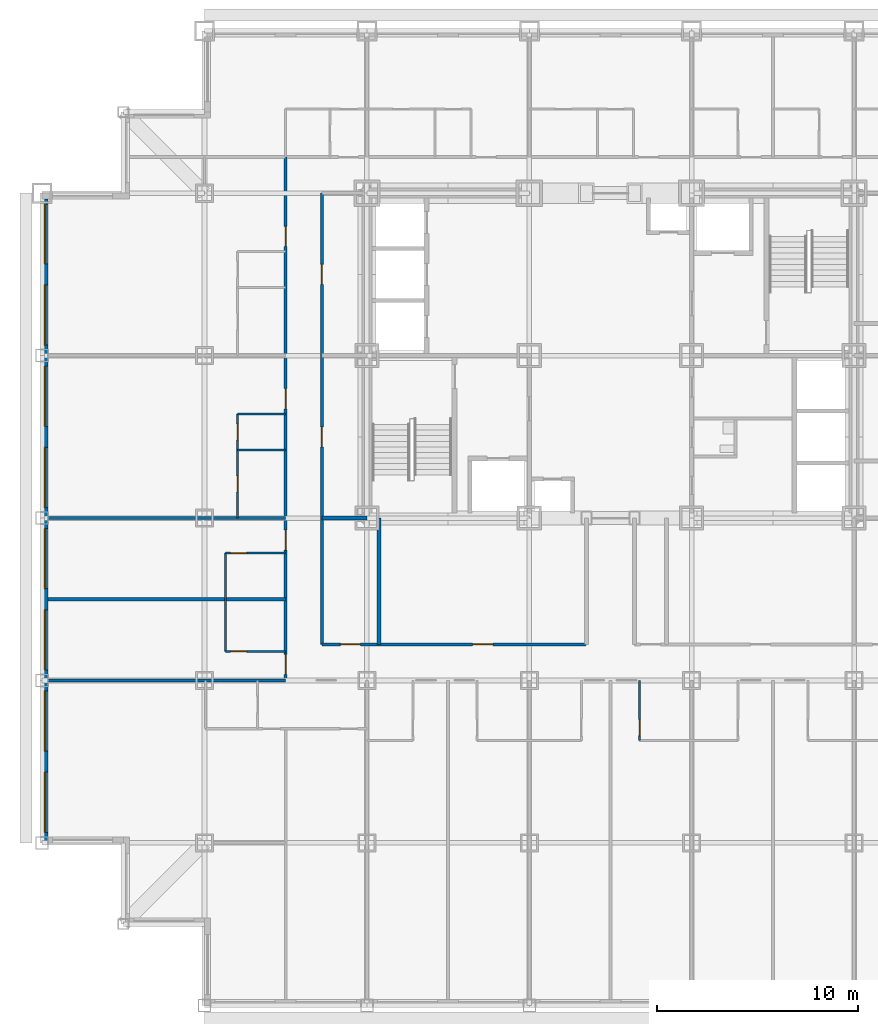
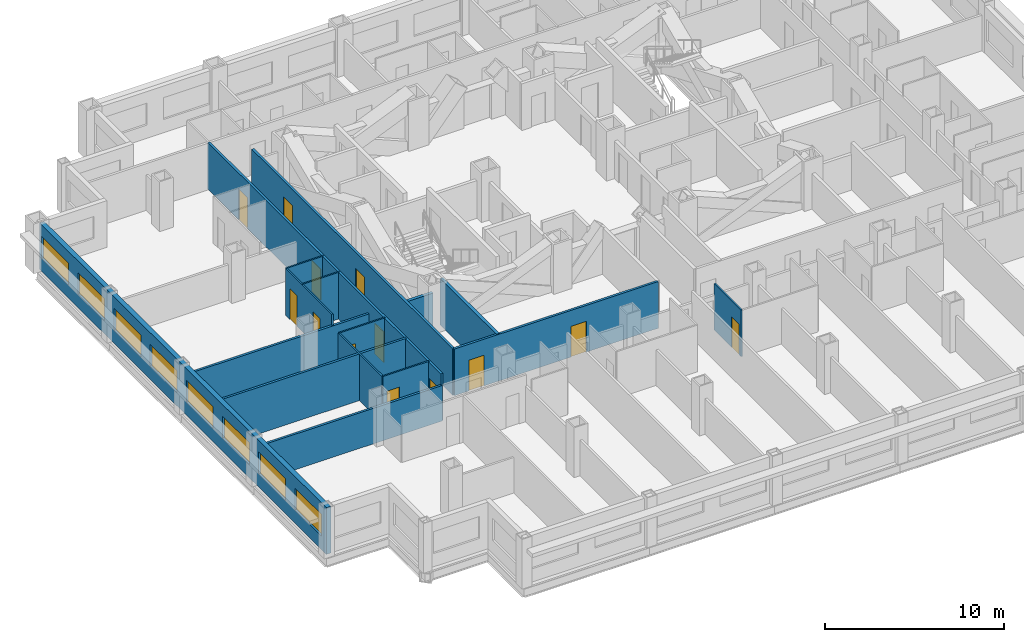
# One storey, part 4 of 12: 16 walls, 13 doors, 8 windows, 21 openings.
"""IFC4 building model written with IfcOpenShell, lengths in metres."""

from ifc_helpers import new_model, si_unit, direction, frame, frame_2d, origin, place, context, subcontext, project, spatial, rectangle, extrude, material, layer, layer_set, type_object, element, fill, save


model = new_model("IFC4")

# Units and contexts
model_context = context("Model", 3, precision=1e-05, world=origin(), true_north=direction((0.0, 1.0)))
body_context = subcontext(model_context, "Body", "Model", "MODEL_VIEW")
ifc_project = project(units=[si_unit("LENGTHUNIT", "METRE"), si_unit("AREAUNIT", "SQUARE_METRE"), si_unit("VOLUMEUNIT", "CUBIC_METRE"), si_unit("PLANEANGLEUNIT", "RADIAN"), si_unit("MASSUNIT", "GRAM", prefix="KILO")], contexts=[model_context])

# Site, building, storey
site_placement = place(None, origin())
site = spatial("IfcSite", under=ifc_project, at=site_placement, CompositionType="ELEMENT")
building_placement = place(site_placement, origin())
building = spatial("IfcBuilding", under=site, at=building_placement, Name="Kopane Lantern Tower", CompositionType="ELEMENT")
storey_placement = place(building_placement, frame((0.0, 0.0, 77.199951171875)))
storey = spatial("IfcBuildingStorey", under=building, at=storey_placement, Name="L19", CompositionType="ELEMENT", Elevation=77.199951171875)

# Wall, opening, door
ifc_material_1 = material(Name="Moisture-resistant board on steel studs", Category="steel")
ifc_layer_1 = layer(ifc_material_1, 0.10009765625)
ifc_layer_set_1 = layer_set([ifc_layer_1], Name="BATHROOM WALL 100")
wall_type_1 = type_object("IfcWallType", Name="BATHROOM WALL 100", PredefinedType="PARTITIONING", material=ifc_layer_set_1)
wall_1_placement = place(storey_placement, frame((29.800048828125, 16.199951171875, 0.0), z_axis=(0.0, 0.0, 1.0), x_axis=(0.0, -1.0, 0.0)))
wall_1 = element("IfcWall", 1, at=wall_1_placement, inside=storey, type_object=wall_type_1, Name="Bathroom Wall 100 L19", PredefinedType="PARTITIONING", context=body_context, shape_type="SweptSolid", body=[
    extrude(rectangle(XDim=3.0, YDim=0.10009765625, at=frame_2d((1.5, 0.0))), origin(), (0.0, 0.0, 1.0), 3.18994140625),
])
opening_1_placement = place(wall_1_placement, frame((1.949951171875, 0.0, 0.0)))
opening_1 = element("IfcOpeningElement", 2, at=opening_1_placement, cuts=wall_1, Name="Opening L19-019", PredefinedType="OPENING", context=body_context, shape_type="SweptSolid", body=[
    extrude(rectangle(XDim=0.800048828125, YDim=2.10009765625, at=frame_2d((0.39990234375, 1.050048828125))), frame((0.0, 0.06005859375, 0.0), z_axis=(0.0, -1.0, 0.0), x_axis=(1.0, 0.0, 0.0)), (0.0, 0.0, 1.0), 0.1201171875),
])
ifc_material_2 = material(Name="Timber door set", Category="wood")
door_type_1 = type_object("IfcDoorType", Name="DOOR D2 800x2100", OperationType="SINGLE_SWING_LEFT", PredefinedType="DOOR", material=ifc_material_2)
door_1_placement = place(opening_1_placement, origin())
door_1 = element("IfcDoor", 3, at=door_1_placement, inside=storey, type_object=door_type_1, Name="Door L19-019", OperationType="SINGLE_SWING_RIGHT", OverallHeight=2.10009765625, OverallWidth=0.800048828125, PredefinedType="DOOR", context=body_context, shape_type="SweptSolid", body=[
    extrude(rectangle(XDim=0.800048828125, YDim=2.10009765625, at=frame_2d((0.39990234375, 1.050048828125))), frame((0.0, 0.02490234375, 0.0), z_axis=(0.0, -1.0, 0.0), x_axis=(1.0, 0.0, 0.0)), (0.0, 0.0, 1.0), 0.050048828125),
])
fill(opening_1, door_1)

# Wall
wall_2_placement = place(storey_placement, frame((9.14990234375, 17.64990234375, 0.0), z_axis=(0.0, 0.0, 1.0), x_axis=(0.0, 1.0, 0.0)))
element("IfcWall", 4, at=wall_2_placement, inside=storey, type_object=wall_type_1, Name="Bathroom Wall 100 L19", PredefinedType="PARTITIONING", context=body_context, shape_type="SweptSolid", body=[
    extrude(rectangle(XDim=4.900146484375, YDim=0.10009765625, at=frame_2d((2.4501953125, 0.0))), origin(), (0.0, 0.0, 1.0), 3.18994140625),
])

# Wall, opening, door
wall_3_placement = place(storey_placement, frame((12.14990234375, 17.64990234375, 0.0), z_axis=(0.0, 0.0, 1.0), x_axis=(-1.0, 0.0, 0.0)))
wall_3 = element("IfcWall", 5, at=wall_3_placement, inside=storey, type_object=wall_type_1, Name="Bathroom Wall 100 L19", PredefinedType="PARTITIONING", context=body_context, shape_type="SweptSolid", body=[
    extrude(rectangle(XDim=3.0, YDim=0.10009765625, at=frame_2d((1.5, 0.0))), origin(), (0.0, 0.0, 1.0), 3.18994140625),
])
opening_2_placement = place(wall_3_placement, frame((1.949951171875, 0.0, 0.0)))
opening_2 = element("IfcOpeningElement", 6, at=opening_2_placement, cuts=wall_3, Name="Opening L19-039", PredefinedType="OPENING", context=body_context, shape_type="SweptSolid", body=[
    extrude(rectangle(XDim=0.800048828125, YDim=2.10009765625, at=frame_2d((0.39990234375, 1.050048828125))), frame((0.0, 0.06005859375, 0.0), z_axis=(0.0, -1.0, 0.0), x_axis=(1.0, 0.0, 0.0)), (0.0, 0.0, 1.0), 0.1201171875),
])
door_2_placement = place(opening_2_placement, origin())
door_2 = element("IfcDoor", 7, at=door_2_placement, inside=storey, type_object=door_type_1, Name="Door L19-039", OperationType="SINGLE_SWING_LEFT", OverallHeight=2.10009765625, OverallWidth=0.800048828125, PredefinedType="DOOR", context=body_context, shape_type="SweptSolid", body=[
    extrude(rectangle(XDim=0.800048828125, YDim=2.10009765625, at=frame_2d((0.39990234375, 1.050048828125))), frame((0.0, 0.02490234375, 0.0), z_axis=(0.0, -1.0, 0.0), x_axis=(1.0, 0.0, 0.0)), (0.0, 0.0, 1.0), 0.050048828125),
])
fill(opening_2, door_2)

wall_4_placement = place(storey_placement, frame((12.14990234375, 22.550048828125, 0.0), z_axis=(0.0, 0.0, 1.0), x_axis=(-1.0, 0.0, 0.0)))
wall_4 = element("IfcWall", 8, at=wall_4_placement, inside=storey, type_object=wall_type_1, Name="Bathroom Wall 100 L19", PredefinedType="PARTITIONING", context=body_context, shape_type="SweptSolid", body=[
    extrude(rectangle(XDim=3.0, YDim=0.10009765625, at=frame_2d((1.5, 0.0))), origin(), (0.0, 0.0, 1.0), 3.18994140625),
])
opening_3_placement = place(wall_4_placement, frame((1.949951171875, 0.0, 0.0)))
opening_3 = element("IfcOpeningElement", 9, at=opening_3_placement, cuts=wall_4, Name="Opening L19-041", PredefinedType="OPENING", context=body_context, shape_type="SweptSolid", body=[
    extrude(rectangle(XDim=0.800048828125, YDim=2.10009765625, at=frame_2d((0.39990234375, 1.050048828125))), frame((0.0, 0.06005859375, 0.0), z_axis=(0.0, -1.0, 0.0), x_axis=(1.0, 0.0, 0.0)), (0.0, 0.0, 1.0), 0.1201171875),
])
door_3_placement = place(opening_3_placement, origin())
door_3 = element("IfcDoor", 10, at=door_3_placement, inside=storey, type_object=door_type_1, Name="Door L19-041", OperationType="SINGLE_SWING_RIGHT", OverallHeight=2.10009765625, OverallWidth=0.800048828125, PredefinedType="DOOR", context=body_context, shape_type="SweptSolid", body=[
    extrude(rectangle(XDim=0.800048828125, YDim=2.10009765625, at=frame_2d((0.39990234375, 1.050048828125))), frame((0.0, 0.02490234375, 0.0), z_axis=(0.0, -1.0, 0.0), x_axis=(1.0, 0.0, 0.0)), (0.0, 0.0, 1.0), 0.050048828125),
])
fill(opening_3, door_3)

# Wall, openings, doors
wall_5_placement = place(storey_placement, frame((9.75, 24.300048828125, 0.0), z_axis=(0.0, 0.0, 1.0), x_axis=(0.0, 1.0, 0.0)))
wall_5 = element("IfcWall", 11, at=wall_5_placement, inside=storey, type_object=wall_type_1, Name="Bathroom Wall 100 L19", PredefinedType="PARTITIONING", context=body_context, shape_type="SweptSolid", body=[
    extrude(rectangle(XDim=5.199951171875, YDim=0.10009765625, at=frame_2d((2.60009765625, 0.0))), origin(), (0.0, 0.0, 1.0), 3.18994140625),
])
opening_4_placement = place(wall_5_placement, frame((1.300048828125, 0.0, 0.0)))
opening_4 = element("IfcOpeningElement", 12, at=opening_4_placement, cuts=wall_5, Name="Opening L19-043", PredefinedType="OPENING", context=body_context, shape_type="SweptSolid", body=[
    extrude(rectangle(XDim=0.800048828125, YDim=2.10009765625, at=frame_2d((0.39990234375, 1.050048828125))), frame((0.0, 0.06005859375, 0.0), z_axis=(0.0, -1.0, 0.0), x_axis=(1.0, 0.0, 0.0)), (0.0, 0.0, 1.0), 0.1201171875),
])
opening_5_placement = place(wall_5_placement, frame((3.89990234375, 0.0, 0.0)))
opening_5 = element("IfcOpeningElement", 13, at=opening_5_placement, cuts=wall_5, Name="Opening L19-044", PredefinedType="OPENING", context=body_context, shape_type="SweptSolid", body=[
    extrude(rectangle(XDim=0.800048828125, YDim=2.10009765625, at=frame_2d((0.39990234375, 1.050048828125))), frame((0.0, 0.06005859375, 0.0), z_axis=(0.0, -1.0, 0.0), x_axis=(1.0, 0.0, 0.0)), (0.0, 0.0, 1.0), 0.1201171875),
])
door_4_placement = place(opening_4_placement, origin())
door_4 = element("IfcDoor", 14, at=door_4_placement, inside=storey, type_object=door_type_1, Name="Door L19-043", OperationType="SINGLE_SWING_LEFT", OverallHeight=2.10009765625, OverallWidth=0.800048828125, PredefinedType="DOOR", context=body_context, shape_type="SweptSolid", body=[
    extrude(rectangle(XDim=0.800048828125, YDim=2.10009765625, at=frame_2d((0.39990234375, 1.050048828125))), frame((0.0, 0.02490234375, 0.0), z_axis=(0.0, -1.0, 0.0), x_axis=(1.0, 0.0, 0.0)), (0.0, 0.0, 1.0), 0.050048828125),
])
fill(opening_4, door_4)
door_5_placement = place(opening_5_placement, origin())
door_5 = element("IfcDoor", 15, at=door_5_placement, inside=storey, type_object=door_type_1, Name="Door L19-044", OperationType="SINGLE_SWING_LEFT", OverallHeight=2.10009765625, OverallWidth=0.800048828125, PredefinedType="DOOR", context=body_context, shape_type="SweptSolid", body=[
    extrude(rectangle(XDim=0.800048828125, YDim=2.10009765625, at=frame_2d((0.39990234375, 1.050048828125))), frame((0.0, 0.02490234375, 0.0), z_axis=(0.0, -1.0, 0.0), x_axis=(1.0, 0.0, 0.0)), (0.0, 0.0, 1.0), 0.050048828125),
])
fill(opening_5, door_5)

# Walls
for number, where, z_axis, x_axis, name in (
    (16, (12.14990234375, 27.699951171875, 0.0), (0.0, 0.0, 1.0), (-1.0, 0.0, 0.0), "Bathroom Wall 100 L19"),
    (17, (12.14990234375, 29.5, 0.0), (0.0, 0.0, 1.0), (-1.0, 0.0, 0.0), "Bathroom Wall 100 L19"),
):
    element("IfcWall", number, at=place(storey_placement, frame(where, z_axis=z_axis, x_axis=x_axis)), inside=storey, type_object=wall_type_1, Name=name, PredefinedType="PARTITIONING", context=body_context, shape_type="SweptSolid", body=[
        extrude(rectangle(XDim=2.39990234375, YDim=0.10009765625, at=frame_2d((1.199951171875, 0.0))), origin(), (0.0, 0.0, 1.0), 3.18994140625),
    ])

# Wall, openings, doors
ifc_material_3 = material(Name="Gypsum board on steel studs", Category="steel")
ifc_layer_2 = layer(ifc_material_3, 0.14990234375)
ifc_layer_set_2 = layer_set([ifc_layer_2], Name="CORRIDOR WALL 150 EI 60")
wall_type_2 = type_object("IfcWallType", Name="CORRIDOR WALL 150 EI 60", PredefinedType="PARTITIONING", material=ifc_layer_set_2)
wall_6_placement = place(storey_placement, frame((12.14990234375, 16.199951171875, 0.0), z_axis=(0.0, 0.0, 1.0), x_axis=(0.0, 1.0, 0.0)))
wall_6 = element("IfcWall", 18, at=wall_6_placement, inside=storey, type_object=wall_type_2, Name="Corridor Wall 150 Ei 60 L19", PredefinedType="PARTITIONING", context=body_context, shape_type="SweptSolid", body=[
    extrude(rectangle(XDim=26.10009765625, YDim=0.14990234375, at=frame_2d((13.050048828125, 0.0))), origin(), (0.0, 0.0, 1.0), 3.18994140625),
])
opening_6_placement = place(wall_6_placement, frame((0.300048828125, 0.0, 0.0)))
opening_6 = element("IfcOpeningElement", 19, at=opening_6_placement, cuts=wall_6, Name="Opening L19-040", PredefinedType="OPENING", context=body_context, shape_type="SweptSolid", body=[
    extrude(rectangle(XDim=1.0, YDim=2.10009765625, at=frame_2d((0.5, 1.050048828125))), frame((0.0, 0.0849609375, 0.0), z_axis=(0.0, -1.0, 0.0), x_axis=(1.0, 0.0, 0.0)), (0.0, 0.0, 1.0), 0.169921875),
])
opening_7_placement = place(wall_6_placement, frame((6.5, 0.0, 0.0)))
opening_7 = element("IfcOpeningElement", 20, at=opening_7_placement, cuts=wall_6, Name="Opening L19-042", PredefinedType="OPENING", context=body_context, shape_type="SweptSolid", body=[
    extrude(rectangle(XDim=1.0, YDim=2.10009765625, at=frame_2d((0.5, 1.050048828125))), frame((0.0, 0.0849609375, 0.0), z_axis=(0.0, -1.0, 0.0), x_axis=(1.0, 0.0, 0.0)), (0.0, 0.0, 1.0), 0.169921875),
])
opening_8_placement = place(wall_6_placement, frame((13.550048828125, 0.0, 0.0)))
opening_8 = element("IfcOpeningElement", 21, at=opening_8_placement, cuts=wall_6, Name="Opening L19-045", PredefinedType="OPENING", context=body_context, shape_type="SweptSolid", body=[
    extrude(rectangle(XDim=1.0, YDim=2.10009765625, at=frame_2d((0.5, 1.050048828125))), frame((0.0, 0.0849609375, 0.0), z_axis=(0.0, -1.0, 0.0), x_axis=(1.0, 0.0, 0.0)), (0.0, 0.0, 1.0), 0.169921875),
])
opening_9_placement = place(wall_6_placement, frame((21.64990234375, 0.0, 0.0)))
opening_9 = element("IfcOpeningElement", 22, at=opening_9_placement, cuts=wall_6, Name="Opening L19-048", PredefinedType="OPENING", context=body_context, shape_type="SweptSolid", body=[
    extrude(rectangle(XDim=1.0, YDim=2.10009765625, at=frame_2d((0.5, 1.050048828125))), frame((0.0, 0.0849609375, 0.0), z_axis=(0.0, -1.0, 0.0), x_axis=(1.0, 0.0, 0.0)), (0.0, 0.0, 1.0), 0.169921875),
])
ifc_material_4 = material(Name="Steel door set", Category="steel")
door_type_2 = type_object("IfcDoorType", Name="DOOR D1 1000x2100 FD30S", OperationType="SINGLE_SWING_LEFT", PredefinedType="DOOR", material=ifc_material_4)
door_6_placement = place(opening_6_placement, origin())
door_6 = element("IfcDoor", 23, at=door_6_placement, inside=storey, type_object=door_type_2, Name="Door L19-040", OperationType="SINGLE_SWING_RIGHT", OverallHeight=2.10009765625, OverallWidth=1.0, PredefinedType="DOOR", context=body_context, shape_type="SweptSolid", body=[
    extrude(rectangle(XDim=1.0, YDim=2.10009765625, at=frame_2d((0.5, 1.050048828125))), frame((0.0, 0.02490234375, 0.0), z_axis=(0.0, -1.0, 0.0), x_axis=(1.0, 0.0, 0.0)), (0.0, 0.0, 1.0), 0.050048828125),
])
fill(opening_6, door_6)
door_7_placement = place(opening_7_placement, origin())
door_7 = element("IfcDoor", 24, at=door_7_placement, inside=storey, type_object=door_type_2, Name="Door L19-042", OperationType="SINGLE_SWING_LEFT", OverallHeight=2.10009765625, OverallWidth=1.0, PredefinedType="DOOR", context=body_context, shape_type="SweptSolid", body=[
    extrude(rectangle(XDim=1.0, YDim=2.10009765625, at=frame_2d((0.5, 1.050048828125))), frame((0.0, 0.02490234375, 0.0), z_axis=(0.0, -1.0, 0.0), x_axis=(1.0, 0.0, 0.0)), (0.0, 0.0, 1.0), 0.050048828125),
])
fill(opening_7, door_7)
door_8_placement = place(opening_8_placement, origin())
door_8 = element("IfcDoor", 25, at=door_8_placement, inside=storey, type_object=door_type_2, Name="Door L19-045", OperationType="SINGLE_SWING_LEFT", OverallHeight=2.10009765625, OverallWidth=1.0, PredefinedType="DOOR", context=body_context, shape_type="SweptSolid", body=[
    extrude(rectangle(XDim=1.0, YDim=2.10009765625, at=frame_2d((0.5, 1.050048828125))), frame((0.0, 0.02490234375, 0.0), z_axis=(0.0, -1.0, 0.0), x_axis=(1.0, 0.0, 0.0)), (0.0, 0.0, 1.0), 0.050048828125),
])
fill(opening_8, door_8)
door_9_placement = place(opening_9_placement, origin())
door_9 = element("IfcDoor", 26, at=door_9_placement, inside=storey, type_object=door_type_2, Name="Door L19-048", OperationType="SINGLE_SWING_LEFT", OverallHeight=2.10009765625, OverallWidth=1.0, PredefinedType="DOOR", context=body_context, shape_type="SweptSolid", body=[
    extrude(rectangle(XDim=1.0, YDim=2.10009765625, at=frame_2d((0.5, 1.050048828125))), frame((0.0, 0.02490234375, 0.0), z_axis=(0.0, -1.0, 0.0), x_axis=(1.0, 0.0, 0.0)), (0.0, 0.0, 1.0), 0.050048828125),
])
fill(opening_9, door_9)

wall_7_placement = place(storey_placement, frame((13.949951171875, 40.5, 0.0), z_axis=(0.0, 0.0, 1.0), x_axis=(0.0, -1.0, 0.0)))
wall_7 = element("IfcWall", 27, at=wall_7_placement, inside=storey, type_object=wall_type_2, Name="Corridor Wall 150 Ei 60 L19", PredefinedType="PARTITIONING", context=body_context, shape_type="SweptSolid", body=[
    extrude(rectangle(XDim=22.5, YDim=0.14990234375, at=frame_2d((11.25, 0.0))), origin(), (0.0, 0.0, 1.0), 3.18994140625),
])
opening_10_placement = place(wall_7_placement, frame((11.64990234375, 0.0, 0.0)))
opening_10 = element("IfcOpeningElement", 28, at=opening_10_placement, cuts=wall_7, Name="Opening L19-001", PredefinedType="OPENING", context=body_context, shape_type="SweptSolid", body=[
    extrude(rectangle(XDim=1.0, YDim=2.10009765625, at=frame_2d((0.5, 1.050048828125))), frame((0.0, 0.0849609375, 0.0), z_axis=(0.0, -1.0, 0.0), x_axis=(1.0, 0.0, 0.0)), (0.0, 0.0, 1.0), 0.169921875),
])
opening_11_placement = place(wall_7_placement, frame((3.550048828125, 0.0, 0.0)))
opening_11 = element("IfcOpeningElement", 29, at=opening_11_placement, cuts=wall_7, Name="Opening L19-002", PredefinedType="OPENING", context=body_context, shape_type="SweptSolid", body=[
    extrude(rectangle(XDim=1.0, YDim=2.10009765625, at=frame_2d((0.5, 1.050048828125))), frame((0.0, 0.0849609375, 0.0), z_axis=(0.0, -1.0, 0.0), x_axis=(1.0, 0.0, 0.0)), (0.0, 0.0, 1.0), 0.169921875),
])
ifc_material_5 = material(Name="Steel door set", Category="steel")
door_type_3 = type_object("IfcDoorType", Name="DOOR D5 1000x2100 FD60", OperationType="SINGLE_SWING_LEFT", PredefinedType="DOOR", material=ifc_material_5)
door_10_placement = place(opening_10_placement, origin())
door_10 = element("IfcDoor", 30, at=door_10_placement, inside=storey, type_object=door_type_3, Name="Door L19-001", OperationType="SINGLE_SWING_RIGHT", OverallHeight=2.10009765625, OverallWidth=1.0, PredefinedType="DOOR", context=body_context, shape_type="SweptSolid", body=[
    extrude(rectangle(XDim=1.0, YDim=2.10009765625, at=frame_2d((0.5, 1.050048828125))), frame((0.0, 0.02490234375, 0.0), z_axis=(0.0, -1.0, 0.0), x_axis=(1.0, 0.0, 0.0)), (0.0, 0.0, 1.0), 0.050048828125),
])
fill(opening_10, door_10)
door_11_placement = place(opening_11_placement, origin())
door_11 = element("IfcDoor", 31, at=door_11_placement, inside=storey, type_object=door_type_3, Name="Door L19-002", OperationType="SINGLE_SWING_LEFT", OverallHeight=2.10009765625, OverallWidth=1.0, PredefinedType="DOOR", context=body_context, shape_type="SweptSolid", body=[
    extrude(rectangle(XDim=1.0, YDim=2.10009765625, at=frame_2d((0.5, 1.050048828125))), frame((0.0, 0.02490234375, 0.0), z_axis=(0.0, -1.0, 0.0), x_axis=(1.0, 0.0, 0.0)), (0.0, 0.0, 1.0), 0.050048828125),
])
fill(opening_11, door_11)

wall_8_placement = place(storey_placement, frame((13.949951171875, 18.0, 0.0), z_axis=(0.0, 0.0, 1.0), x_axis=(1.0, 0.0, 0.0)))
wall_8 = element("IfcWall", 32, at=wall_8_placement, inside=storey, type_object=wall_type_2, Name="Corridor Wall 150 Ei 60 L19", PredefinedType="PARTITIONING", context=body_context, shape_type="SweptSolid", body=[
    extrude(rectangle(XDim=13.18994140625, YDim=0.14990234375, at=frame_2d((6.594970703125, 0.0))), origin(), (0.0, 0.0, 1.0), 3.18994140625),
])
opening_12_placement = place(wall_8_placement, frame((0.9287109375, 0.0, 0.0)))
opening_12 = element("IfcOpeningElement", 33, at=opening_12_placement, cuts=wall_8, Name="Opening L19-007", PredefinedType="OPENING", context=body_context, shape_type="SweptSolid", body=[
    extrude(rectangle(XDim=1.0, YDim=2.10009765625, at=frame_2d((0.5, 1.050048828125))), frame((0.0, 0.0849609375, 0.0), z_axis=(0.0, -1.0, 0.0), x_axis=(1.0, 0.0, 0.0)), (0.0, 0.0, 1.0), 0.169921875),
])
opening_13_placement = place(wall_8_placement, frame((7.528564453125, 0.0, 0.0)))
opening_13 = element("IfcOpeningElement", 34, at=opening_13_placement, cuts=wall_8, Name="Opening L19-008", PredefinedType="OPENING", context=body_context, shape_type="SweptSolid", body=[
    extrude(rectangle(XDim=1.0, YDim=2.10009765625, at=frame_2d((0.5, 1.050048828125))), frame((0.0, 0.0849609375, 0.0), z_axis=(0.0, -1.0, 0.0), x_axis=(1.0, 0.0, 0.0)), (0.0, 0.0, 1.0), 0.169921875),
])
door_12_placement = place(opening_12_placement, origin())
door_12 = element("IfcDoor", 35, at=door_12_placement, inside=storey, type_object=door_type_3, Name="Door L19-007", OperationType="SINGLE_SWING_LEFT", OverallHeight=2.10009765625, OverallWidth=1.0, PredefinedType="DOOR", context=body_context, shape_type="SweptSolid", body=[
    extrude(rectangle(XDim=1.0, YDim=2.10009765625, at=frame_2d((0.5, 1.050048828125))), frame((0.0, 0.02490234375, 0.0), z_axis=(0.0, -1.0, 0.0), x_axis=(1.0, 0.0, 0.0)), (0.0, 0.0, 1.0), 0.050048828125),
])
fill(opening_12, door_12)
door_13_placement = place(opening_13_placement, origin())
door_13 = element("IfcDoor", 36, at=door_13_placement, inside=storey, type_object=door_type_3, Name="Door L19-008", OperationType="SINGLE_SWING_RIGHT", OverallHeight=2.10009765625, OverallWidth=1.0, PredefinedType="DOOR", context=body_context, shape_type="SweptSolid", body=[
    extrude(rectangle(XDim=1.0, YDim=2.10009765625, at=frame_2d((0.5, 1.050048828125))), frame((0.0, 0.02490234375, 0.0), z_axis=(0.0, -1.0, 0.0), x_axis=(1.0, 0.0, 0.0)), (0.0, 0.0, 1.0), 0.050048828125),
])
fill(opening_13, door_13)

# Walls
ifc_material_6 = material(Name="Gypsum board on steel studs", Category="steel")
ifc_layer_3 = layer(ifc_material_6, 0.14990234375)
ifc_layer_set_3 = layer_set([ifc_layer_3], Name="DEMISING WALL 150 EI 60")
wall_type_3 = type_object("IfcWallType", Name="DEMISING WALL 150 EI 60", PredefinedType="PARTITIONING", material=ifc_layer_set_3)
wall_9_placement = place(storey_placement, frame((12.14990234375, 20.25, 0.0), z_axis=(0.0, 0.0, 1.0), x_axis=(-1.0, 0.0, 0.0)))
element("IfcWall", 37, at=wall_9_placement, inside=storey, type_object=wall_type_3, Name="Demising Wall 150 Ei 60 L19", PredefinedType="PARTITIONING", context=body_context, shape_type="SweptSolid", body=[
    extrude(rectangle(XDim=11.849853515625, YDim=0.14990234375, at=frame_2d((5.9248046875, 0.0))), origin(), (0.0, 0.0, 1.0), 3.18994140625),
])
for number, where, z_axis, x_axis, name in (
    (38, (12.14990234375, 24.300048828125, 0.0), (0.0, 0.0, 1.0), (-1.0, 0.0, 0.0), "Demising Wall 150 Ei 60 L19"),
    (39, (0.300048828125, 16.199951171875, 0.0), (0.0, 0.0, 1.0), (1.0, 0.0, 0.0), "Demising Wall 150 Ei 60 L19"),
):
    element("IfcWall", number, at=place(storey_placement, frame(where, z_axis=z_axis, x_axis=x_axis)), inside=storey, type_object=wall_type_3, Name=name, PredefinedType="PARTITIONING", context=body_context, shape_type="SweptSolid", body=[
        extrude(rectangle(XDim=11.849853515625, YDim=0.14990234375, at=frame_2d((5.9248046875, 0.0))), origin(), (0.0, 0.0, 1.0), 2.427734375),
    ])

# Wall, openings, windows
ifc_material_7 = material(Name="Terracotta rainscreen on light steel framing", Category="masonry")
ifc_layer_4 = layer(ifc_material_7, 0.300048828125)
ifc_layer_set_4 = layer_set([ifc_layer_4], Name="EXTERNAL WALL EW1 300 TERRACOTTA")
wall_type_4 = type_object("IfcWallType", Name="EXTERNAL WALL EW1 300 TERRACOTTA", PredefinedType="SOLIDWALL", material=ifc_layer_set_4)
wall_10_placement = place(storey_placement, frame((0.14990234375, 40.199951171875, 0.0), z_axis=(0.0, 0.0, 1.0), x_axis=(0.0, -1.0, 0.0)))
wall_10 = element("IfcWall", 40, at=wall_10_placement, inside=storey, type_object=wall_type_4, Name="External wall W L19", PredefinedType="SOLIDWALL", context=body_context, shape_type="SweptSolid", body=[
    extrude(rectangle(XDim=32.099853515625, YDim=0.300048828125, at=frame_2d((16.0498046875, 0.0))), origin(), (0.0, 0.0, 1.0), 3.18994140625),
])
opening_14_placement = place(wall_10_placement, frame((0.22509765625, 0.0, 0.89990234375)))
opening_14 = element("IfcOpeningElement", 41, at=opening_14_placement, cuts=wall_10, Name="Opening WR300150", PredefinedType="OPENING", context=body_context, shape_type="SweptSolid", body=[
    extrude(rectangle(XDim=3.0, YDim=1.5, at=frame_2d((1.5, 0.75))), frame((0.0, 0.159912109375, 0.0), z_axis=(0.0, -1.0, 0.0), x_axis=(1.0, 0.0, 0.0)), (0.0, 0.0, 1.0), 0.320068359375),
])
opening_15_placement = place(wall_10_placement, frame((4.27490234375, 0.0, 0.89990234375)))
opening_15 = element("IfcOpeningElement", 42, at=opening_15_placement, cuts=wall_10, Name="Opening WR300150", PredefinedType="OPENING", context=body_context, shape_type="SweptSolid", body=[
    extrude(rectangle(XDim=3.0, YDim=1.5, at=frame_2d((1.5, 0.75))), frame((0.0, 0.159912109375, 0.0), z_axis=(0.0, -1.0, 0.0), x_axis=(1.0, 0.0, 0.0)), (0.0, 0.0, 1.0), 0.320068359375),
])
opening_16_placement = place(wall_10_placement, frame((8.324951171875, 0.0, 0.89990234375)))
opening_16 = element("IfcOpeningElement", 43, at=opening_16_placement, cuts=wall_10, Name="Opening WR300150", PredefinedType="OPENING", context=body_context, shape_type="SweptSolid", body=[
    extrude(rectangle(XDim=3.0, YDim=1.5, at=frame_2d((1.5, 0.75))), frame((0.0, 0.159912109375, 0.0), z_axis=(0.0, -1.0, 0.0), x_axis=(1.0, 0.0, 0.0)), (0.0, 0.0, 1.0), 0.320068359375),
])
opening_17_placement = place(wall_10_placement, frame((12.375, 0.0, 0.89990234375)))
opening_17 = element("IfcOpeningElement", 44, at=opening_17_placement, cuts=wall_10, Name="Opening WR300150", PredefinedType="OPENING", context=body_context, shape_type="SweptSolid", body=[
    extrude(rectangle(XDim=3.0, YDim=1.5, at=frame_2d((1.5, 0.75))), frame((0.0, 0.159912109375, 0.0), z_axis=(0.0, -1.0, 0.0), x_axis=(1.0, 0.0, 0.0)), (0.0, 0.0, 1.0), 0.320068359375),
])
opening_18_placement = place(wall_10_placement, frame((16.425048828125, 0.0, 0.89990234375)))
opening_18 = element("IfcOpeningElement", 45, at=opening_18_placement, cuts=wall_10, Name="Opening WR300150", PredefinedType="OPENING", context=body_context, shape_type="SweptSolid", body=[
    extrude(rectangle(XDim=3.0, YDim=1.5, at=frame_2d((1.5, 0.75))), frame((0.0, 0.159912109375, 0.0), z_axis=(0.0, -1.0, 0.0), x_axis=(1.0, 0.0, 0.0)), (0.0, 0.0, 1.0), 0.320068359375),
])
opening_19_placement = place(wall_10_placement, frame((20.47509765625, 0.0, 0.89990234375)))
opening_19 = element("IfcOpeningElement", 46, at=opening_19_placement, cuts=wall_10, Name="Opening WR300150", PredefinedType="OPENING", context=body_context, shape_type="SweptSolid", body=[
    extrude(rectangle(XDim=3.0, YDim=1.5, at=frame_2d((1.5, 0.75))), frame((0.0, 0.159912109375, 0.0), z_axis=(0.0, -1.0, 0.0), x_axis=(1.0, 0.0, 0.0)), (0.0, 0.0, 1.0), 0.320068359375),
])
opening_20_placement = place(wall_10_placement, frame((24.52490234375, 0.0, 0.89990234375)))
opening_20 = element("IfcOpeningElement", 47, at=opening_20_placement, cuts=wall_10, Name="Opening WR300150", PredefinedType="OPENING", context=body_context, shape_type="SweptSolid", body=[
    extrude(rectangle(XDim=3.0, YDim=1.5, at=frame_2d((1.5, 0.75))), frame((0.0, 0.159912109375, 0.0), z_axis=(0.0, -1.0, 0.0), x_axis=(1.0, 0.0, 0.0)), (0.0, 0.0, 1.0), 0.320068359375),
])
opening_21_placement = place(wall_10_placement, frame((28.574951171875, 0.0, 0.89990234375)))
opening_21 = element("IfcOpeningElement", 48, at=opening_21_placement, cuts=wall_10, Name="Opening WR300150", PredefinedType="OPENING", context=body_context, shape_type="SweptSolid", body=[
    extrude(rectangle(XDim=3.0, YDim=1.5, at=frame_2d((1.5, 0.75))), frame((0.0, 0.159912109375, 0.0), z_axis=(0.0, -1.0, 0.0), x_axis=(1.0, 0.0, 0.0)), (0.0, 0.0, 1.0), 0.320068359375),
])
ifc_material_8 = material(Name="Aluminium and clear glass", Category="aluminium")
window_type = type_object("IfcWindowType", Name="RIBBON WINDOW WR300150 3000x1500", PartitioningType="SINGLE_PANEL", PredefinedType="WINDOW", material=ifc_material_8)
window_1_placement = place(opening_14_placement, origin())
window_1 = element("IfcWindow", 49, at=window_1_placement, inside=storey, type_object=window_type, Name="Window W L19", OverallHeight=1.5, OverallWidth=3.0, PartitioningType="SINGLE_PANEL", PredefinedType="WINDOW", context=body_context, shape_type="SweptSolid", body=[
    extrude(rectangle(XDim=3.0, YDim=1.5, at=frame_2d((1.5, 0.75))), frame((0.0, 0.030029296875, 0.0), z_axis=(0.0, -1.0, 0.0), x_axis=(1.0, 0.0, 0.0)), (0.0, 0.0, 1.0), 0.06005859375),
])
fill(opening_14, window_1)
window_2_placement = place(opening_15_placement, origin())
window_2 = element("IfcWindow", 50, at=window_2_placement, inside=storey, type_object=window_type, Name="Window W L19", OverallHeight=1.5, OverallWidth=3.0, PartitioningType="SINGLE_PANEL", PredefinedType="WINDOW", context=body_context, shape_type="SweptSolid", body=[
    extrude(rectangle(XDim=3.0, YDim=1.5, at=frame_2d((1.5, 0.75))), frame((0.0, 0.030029296875, 0.0), z_axis=(0.0, -1.0, 0.0), x_axis=(1.0, 0.0, 0.0)), (0.0, 0.0, 1.0), 0.06005859375),
])
fill(opening_15, window_2)
window_3_placement = place(opening_16_placement, origin())
window_3 = element("IfcWindow", 51, at=window_3_placement, inside=storey, type_object=window_type, Name="Window W L19", OverallHeight=1.5, OverallWidth=3.0, PartitioningType="SINGLE_PANEL", PredefinedType="WINDOW", context=body_context, shape_type="SweptSolid", body=[
    extrude(rectangle(XDim=3.0, YDim=1.5, at=frame_2d((1.5, 0.75))), frame((0.0, 0.030029296875, 0.0), z_axis=(0.0, -1.0, 0.0), x_axis=(1.0, 0.0, 0.0)), (0.0, 0.0, 1.0), 0.06005859375),
])
fill(opening_16, window_3)
window_4_placement = place(opening_17_placement, origin())
window_4 = element("IfcWindow", 52, at=window_4_placement, inside=storey, type_object=window_type, Name="Window W L19", OverallHeight=1.5, OverallWidth=3.0, PartitioningType="SINGLE_PANEL", PredefinedType="WINDOW", context=body_context, shape_type="SweptSolid", body=[
    extrude(rectangle(XDim=3.0, YDim=1.5, at=frame_2d((1.5, 0.75))), frame((0.0, 0.030029296875, 0.0), z_axis=(0.0, -1.0, 0.0), x_axis=(1.0, 0.0, 0.0)), (0.0, 0.0, 1.0), 0.06005859375),
])
fill(opening_17, window_4)
window_5_placement = place(opening_18_placement, origin())
window_5 = element("IfcWindow", 53, at=window_5_placement, inside=storey, type_object=window_type, Name="Window W L19", OverallHeight=1.5, OverallWidth=3.0, PartitioningType="SINGLE_PANEL", PredefinedType="WINDOW", context=body_context, shape_type="SweptSolid", body=[
    extrude(rectangle(XDim=3.0, YDim=1.5, at=frame_2d((1.5, 0.75))), frame((0.0, 0.030029296875, 0.0), z_axis=(0.0, -1.0, 0.0), x_axis=(1.0, 0.0, 0.0)), (0.0, 0.0, 1.0), 0.06005859375),
])
fill(opening_18, window_5)
window_6_placement = place(opening_19_placement, origin())
window_6 = element("IfcWindow", 54, at=window_6_placement, inside=storey, type_object=window_type, Name="Window W L19", OverallHeight=1.5, OverallWidth=3.0, PartitioningType="SINGLE_PANEL", PredefinedType="WINDOW", context=body_context, shape_type="SweptSolid", body=[
    extrude(rectangle(XDim=3.0, YDim=1.5, at=frame_2d((1.5, 0.75))), frame((0.0, 0.030029296875, 0.0), z_axis=(0.0, -1.0, 0.0), x_axis=(1.0, 0.0, 0.0)), (0.0, 0.0, 1.0), 0.06005859375),
])
fill(opening_19, window_6)
window_7_placement = place(opening_20_placement, origin())
window_7 = element("IfcWindow", 55, at=window_7_placement, inside=storey, type_object=window_type, Name="Window W L19", OverallHeight=1.5, OverallWidth=3.0, PartitioningType="SINGLE_PANEL", PredefinedType="WINDOW", context=body_context, shape_type="SweptSolid", body=[
    extrude(rectangle(XDim=3.0, YDim=1.5, at=frame_2d((1.5, 0.75))), frame((0.0, 0.030029296875, 0.0), z_axis=(0.0, -1.0, 0.0), x_axis=(1.0, 0.0, 0.0)), (0.0, 0.0, 1.0), 0.06005859375),
])
fill(opening_20, window_7)
window_8_placement = place(opening_21_placement, origin())
window_8 = element("IfcWindow", 56, at=window_8_placement, inside=storey, type_object=window_type, Name="Window W L19", OverallHeight=1.5, OverallWidth=3.0, PartitioningType="SINGLE_PANEL", PredefinedType="WINDOW", context=body_context, shape_type="SweptSolid", body=[
    extrude(rectangle(XDim=3.0, YDim=1.5, at=frame_2d((1.5, 0.75))), frame((0.0, 0.030029296875, 0.0), z_axis=(0.0, -1.0, 0.0), x_axis=(1.0, 0.0, 0.0)), (0.0, 0.0, 1.0), 0.06005859375),
])
fill(opening_21, window_8)

# Walls
ifc_material_9 = material(Name="Concrete masonry", Category="masonry")
ifc_layer_5 = layer(ifc_material_9, 0.199951171875)
ifc_layer_set_5 = layer_set([ifc_layer_5], Name="PLANT ROOM WALL 200 EI 120")
wall_type_5 = type_object("IfcWallType", Name="PLANT ROOM WALL 200 EI 120", PredefinedType="SOLIDWALL", material=ifc_layer_set_5)
wall_11_placement = place(storey_placement, frame((16.80712890625, 18.0, 0.0), z_axis=(0.0, 0.0, 1.0), x_axis=(0.0, 1.0, 0.0)))
element("IfcWall", 57, at=wall_11_placement, inside=storey, type_object=wall_type_5, Name="Plant Room Wall 200 Ei 120 L19", PredefinedType="SOLIDWALL", context=body_context, shape_type="SweptSolid", body=[
    extrude(rectangle(XDim=6.300048828125, YDim=0.199951171875, at=frame_2d((3.14990234375, 0.0))), origin(), (0.0, 0.0, 1.0), 3.18994140625),
])
wall_12_placement = place(storey_placement, frame((13.949951171875, 24.300048828125, 0.0), z_axis=(0.0, 0.0, 1.0), x_axis=(1.0, 0.0, 0.0)))
element("IfcWall", 58, at=wall_12_placement, inside=storey, type_object=wall_type_5, Name="Plant Room Wall 200 Ei 120 L19", PredefinedType="SOLIDWALL", context=body_context, shape_type="SweptSolid", body=[
    extrude(rectangle(XDim=2.25, YDim=0.199951171875, at=frame_2d((1.125, 0.0))), origin(), (0.0, 0.0, 1.0), 2.427734375),
])

save(model, "model.ifc")
